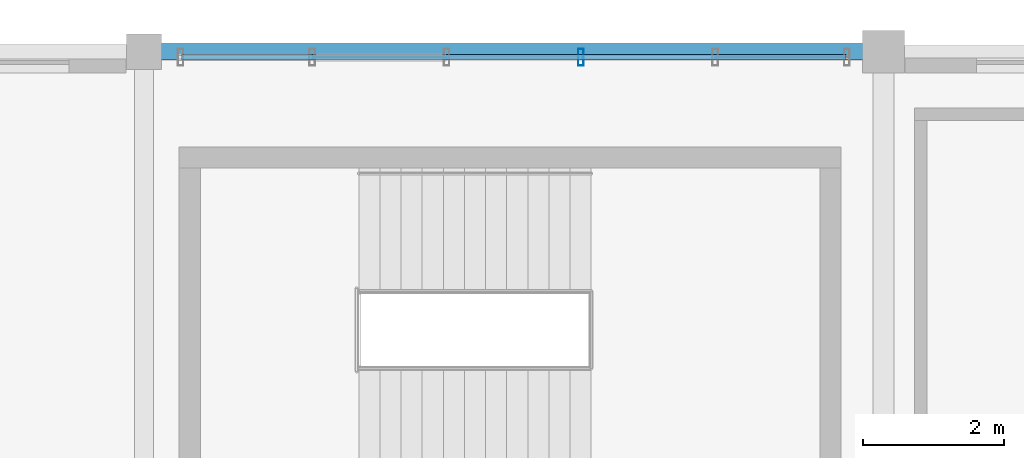
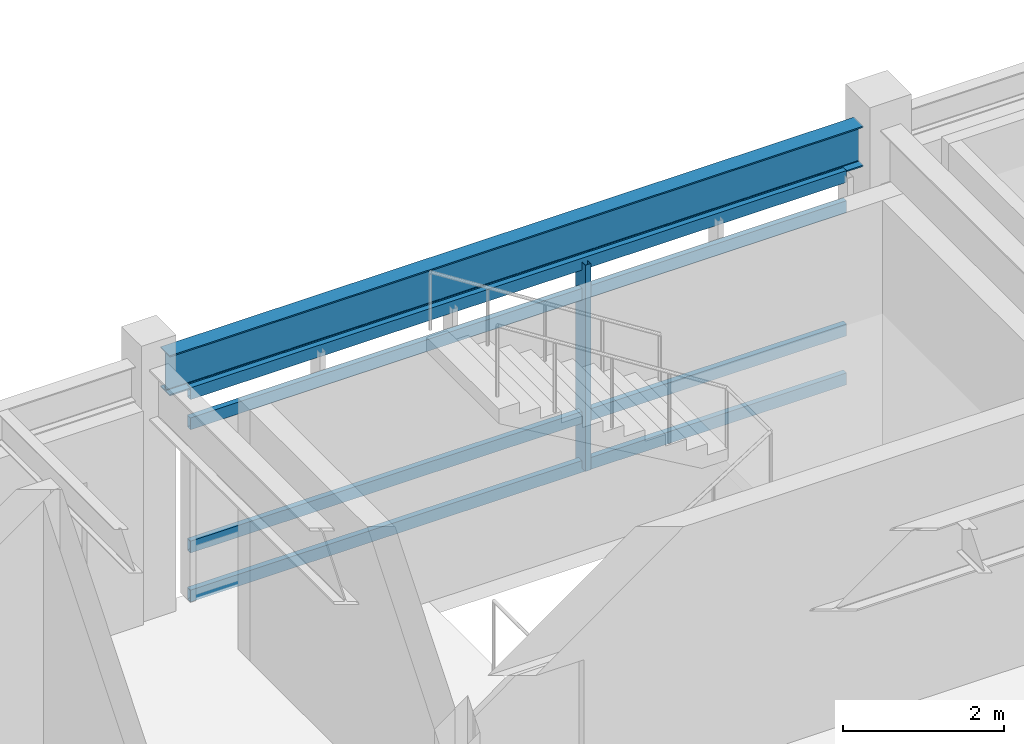
# One storey, part 15 of 56: 5 members, 1 beam, 1 element without a shape of its own.
"""IFC4 building model written with IfcOpenShell, lengths in metres."""

import ifcopenshell
import ifcopenshell.guid

model = None  # the IFC model being written
_history = None  # IfcOwnerHistory: only IFC2X3 demands one
_inside = {}  # id of a spatial element -> (the spatial element, [elements in it])
_under = {}  # id of a project, library or spatial element -> (it, [spatial elements below it])
_declared = {}  # id of a project -> (the project, [libraries it declares])
_typed = {}  # id of a type object -> (the type object, [elements of that type])
_made_of = {}  # id of a material, layer set ... -> (it, [elements and type objects made of it])


def new_model(schema):
    """Start an empty IFC model of exactly this schema.

    Asked for "IFC4X3", IfcOpenShell would pick the latest addendum, in which some entities
    have other attributes; the version numbers below select the first issue.
    IFC2X3 requires an IfcOwnerHistory on every rooted entity: one is made here for all.
    """
    global model, _history
    if schema == "IFC4X3":
        model = ifcopenshell.file(schema_version=(4, 3, 0, 0))
    else:
        model = ifcopenshell.file(schema=schema)
    _inside.clear()
    _under.clear()
    _declared.clear()
    _typed.clear()
    _made_of.clear()
    _history = None
    if model.schema == "IFC2X3":
        org = make("IfcOrganization", Name="unknown")
        user = make(
            "IfcPersonAndOrganization",
            ThePerson=make("IfcPerson", FamilyName="unknown"),
            TheOrganization=org,
        )
        app = make(
            "IfcApplication",
            ApplicationDeveloper=org,
            Version="unknown",
            ApplicationFullName="unknown",
            ApplicationIdentifier="unknown",
        )
        _history = make(
            "IfcOwnerHistory",
            OwningUser=user,
            OwningApplication=app,
            ChangeAction="ADDED",
            CreationDate=0,
        )
    return model


def make(cls, **values):
    """One entity of the class cls with the attributes given. An attribute that is None is left unset."""
    return model.create_entity(
        cls, **{name: value for name, value in values.items() if value is not None}
    )


def rooted(cls, **values):
    """An entity with a GlobalId (a new one), such as an element, a storey or a relation."""
    return make(cls, GlobalId=ifcopenshell.guid.new(), OwnerHistory=_history, **values)


def si_unit(unit_type, name, prefix=None):
    """IfcSIUnit, for example si_unit("LENGTHUNIT", "METRE", prefix="MILLI")."""
    return make("IfcSIUnit", UnitType=unit_type, Prefix=prefix, Name=name)


def assignment(units):
    """IfcUnitAssignment: the units of a project."""
    return None if units is None else make("IfcUnitAssignment", Units=units)


def point(xyz):
    """IfcCartesianPoint."""
    return None if xyz is None else make("IfcCartesianPoint", Coordinates=xyz)


def direction(xyz):
    """IfcDirection."""
    return None if xyz is None else make("IfcDirection", DirectionRatios=xyz)


def frame(location, z_axis=None, x_axis=None):
    """IfcAxis2Placement3D, a coordinate frame: its origin and axes. An axis left out is left unset."""
    return make(
        "IfcAxis2Placement3D",
        Location=point(location),
        Axis=direction(z_axis),
        RefDirection=direction(x_axis),
    )


def frame_2d(location, x_axis=None):
    """IfcAxis2Placement2D, a coordinate frame in the plane: its origin and x axis."""
    return make(
        "IfcAxis2Placement2D", Location=point(location), RefDirection=direction(x_axis)
    )


def origin():
    """The frame at (0, 0, 0) with its axes left unset."""
    return frame((0.0, 0.0, 0.0))


def origin_2d():
    """The frame at (0, 0) in the plane with its x axis left unset."""
    return frame_2d((0.0, 0.0))


def place(relative_to, where):
    """IfcLocalPlacement: puts the frame where relative to a parent placement (None: the world)."""
    return make(
        "IfcLocalPlacement", PlacementRelTo=relative_to, RelativePlacement=where
    )


def context(
    kind, dimensions, precision=None, world=None, true_north=None, identifier=None
):
    """IfcGeometricRepresentationContext, for example the 3D "Model" context."""
    return make(
        "IfcGeometricRepresentationContext",
        ContextIdentifier=identifier,
        ContextType=kind,
        CoordinateSpaceDimension=dimensions,
        Precision=precision,
        WorldCoordinateSystem=world,
        TrueNorth=true_north,
    )


def subcontext(parent, identifier, kind, view, scale=None):
    """IfcGeometricRepresentationSubContext, for example "Body" below "Model"."""
    return make(
        "IfcGeometricRepresentationSubContext",
        ContextIdentifier=identifier,
        ContextType=kind,
        ParentContext=parent,
        TargetScale=scale,
        TargetView=view,
    )


def project(units=None, contexts=None):
    """IfcProject with its units and contexts."""
    return rooted(
        "IfcProject",
        Name="project",
        RepresentationContexts=contexts,
        UnitsInContext=assignment(units),
    )


def spatial(cls, under=None, at=None, **own):
    """A site, building, storey or space (cls), placed at a placement, below another one or the project."""
    s = rooted(cls, ObjectPlacement=at, **own)
    if under is not None:
        _under.setdefault(under.id(), (under, []))[1].append(s)
    return s


def profile(cls, at=None, kind="AREA", **sizes):
    """A parametric profile (cls). Its sizes go by their IFC names, for example OverallWidth=200.0."""
    return make(cls, ProfileType=kind, Position=at, **sizes)


def hollow_rectangle(**sizes):
    """IfcRectangleHollowProfileDef."""
    return profile("IfcRectangleHollowProfileDef", **sizes)


def i_section(**sizes):
    """IfcIShapeProfileDef."""
    return profile("IfcIShapeProfileDef", **sizes)


def extrude(swept, where, along, depth):
    """IfcExtrudedAreaSolid: the profile swept, set in the frame where, extruded along a direction by depth."""
    return make(
        "IfcExtrudedAreaSolid",
        SweptArea=swept,
        Position=where,
        ExtrudedDirection=direction(along),
        Depth=depth,
    )


def shape(context_of_items, identifier, shape_type, items):
    """IfcShapeRepresentation: the items that make up one representation, for example the "Body"."""
    return make(
        "IfcShapeRepresentation",
        ContextOfItems=context_of_items,
        RepresentationIdentifier=identifier,
        RepresentationType=shape_type,
        Items=items,
    )


def material(Name=None, Category=None):
    """IfcMaterial."""
    return make("IfcMaterial", Name=Name, Category=Category)


def material_profile(
    of_material, cross_section, Name=None, Category=None, Priority=None
):
    """IfcMaterialProfile: a cross section and its material."""
    return make(
        "IfcMaterialProfile",
        Name=Name,
        Material=of_material,
        Profile=cross_section,
        Priority=Priority,
        Category=Category,
    )


def profile_set(profiles, Name=None, composite=None):
    """IfcMaterialProfileSet."""
    return make(
        "IfcMaterialProfileSet",
        Name=Name,
        MaterialProfiles=profiles,
        CompositeProfile=composite,
    )


def made_of(thing, what):
    """Note that an element or type object is made of a material, layer set ...; save() writes the relation."""
    if what is not None:
        _made_of.setdefault(what.id(), (what, []))[1].append(thing)
    return thing


def type_object(cls, material=None, **own):
    """A type object (cls), such as IfcWallType, which elements share."""
    return made_of(rooted(cls, **own), material)


def element(
    cls,
    number,
    at=None,
    inside=None,
    cuts=None,
    type_object=None,
    material=None,
    context=None,
    identifier="Body",
    shape_type=None,
    held_by="IfcProductDefinitionShape",
    body=None,
    shapes=None,
    **own,
):
    """One element of the class cls, such as IfcWall. Its Tag is "e" and its number.

    at: its placement. inside: the storey or other place that contains it. cuts: it is an
    opening in that element (IfcRelVoidsElement). A single representation is given by context,
    identifier, shape_type and body (its items); several are given by shapes. held_by: the class
    of the entity that holds the representations. save() writes the other relations.
    """
    e = rooted(cls, Tag="e%d" % number, ObjectPlacement=at, **own)
    if body is not None:
        shapes = [shape(context, identifier, shape_type, body)]
    if shapes is not None:
        e.Representation = make(held_by, Representations=shapes)
    if inside is not None:
        _inside.setdefault(inside.id(), (inside, []))[1].append(e)
    if cuts is not None:
        rooted(
            "IfcRelVoidsElement", RelatingBuildingElement=cuts, RelatedOpeningElement=e
        )
    if type_object is not None:
        _typed.setdefault(type_object.id(), (type_object, []))[1].append(e)
    return made_of(e, material)


def aggregate(whole, parts):
    """IfcRelAggregates: a whole, such as a stair, and the parts it consists of."""
    return rooted("IfcRelAggregates", RelatingObject=whole, RelatedObjects=parts)


def save(model, path):
    """Write the relations noted so far, then the file.

    IfcRelAggregates (storeys below a building ...), IfcRelContainedInSpatialStructure (elements
    in a storey), IfcRelDefinesByType, IfcRelAssociatesMaterial and IfcRelDeclares: one each for
    every whole, place, type object, material and project.
    """
    for whole, parts in _under.values():
        aggregate(whole, parts)
    for where, things in _inside.values():
        rooted(
            "IfcRelContainedInSpatialStructure",
            RelatedElements=things,
            RelatingStructure=where,
        )
    for kind, things in _typed.values():
        rooted("IfcRelDefinesByType", RelatedObjects=things, RelatingType=kind)
    for what, things in _made_of.values():
        rooted("IfcRelAssociatesMaterial", RelatedObjects=things, RelatingMaterial=what)
    for by, libraries in _declared.values():
        rooted("IfcRelDeclares", RelatingContext=by, RelatedDefinitions=libraries)
    model.write(path)


model = new_model("IFC4")

# Units and contexts
model_context = context("Model", 3, precision=1e-05, world=origin(), true_north=direction((0.0, 1.0)))
body_context = subcontext(model_context, "Body", "Model", "MODEL_VIEW")
ifc_project = project(units=[si_unit("LENGTHUNIT", "METRE"), si_unit("AREAUNIT", "SQUARE_METRE"), si_unit("VOLUMEUNIT", "CUBIC_METRE"), si_unit("PLANEANGLEUNIT", "RADIAN"), si_unit("MASSUNIT", "GRAM", prefix="KILO"), si_unit("THERMODYNAMICTEMPERATUREUNIT", "KELVIN"), si_unit("POWERUNIT", "WATT")], contexts=[model_context])

# Site, building, storey
site_placement = place(None, origin())
site = spatial("IfcSite", under=ifc_project, at=site_placement, CompositionType="ELEMENT")
building_placement = place(site_placement, origin())
building = spatial("IfcBuilding", under=site, at=building_placement, Name="Tepalcoro Natatorium and Aquatics Centre", CompositionType="ELEMENT")
storey_placement = place(building_placement, frame((0.0, 0.0, 14.800048828125)))
storey = spatial("IfcBuildingStorey", under=building, at=storey_placement, Name="L03", CompositionType="ELEMENT", Elevation=14.800048828125)

# Curtain wall, members
ifc_material_1 = material(Name="Bronze-Anodised Extruded Aluminium Alloy EN AW-6063 T6", Category="aluminium")
curtain_wall_type = type_object("IfcCurtainWallType", Name="CW_LEAN_T2_EW", PredefinedType="USERDEFINED", material=ifc_material_1)
curtain_wall_placement = place(storey_placement, origin())
curtain_wall = element("IfcCurtainWall", 1, at=curtain_wall_placement, inside=storey, type_object=curtain_wall_type, Name="V5 L03 N Unitised Curtain Wall Bay 4", ObjectType="FACETED SOLAR GLAZING", PredefinedType="USERDEFINED")
ifc_material_profile_1 = material_profile(ifc_material_1, hollow_rectangle(XDim=0.080078125, YDim=0.239990234375, WallThickness=0.0048828125, at=origin_2d()), Name="AL80X240X5")
ifc_profile_set_1 = profile_set([ifc_material_profile_1], Name="Bronze-Anodised Extruded Aluminium Alloy EN AW-6063 T6")
member_type_1 = type_object("IfcMemberType", Name="CW_MUL_80x240", PredefinedType="MULLION", material=ifc_profile_set_1)
member_1_placement = place(storey_placement, frame((137.7041015625, 117.919921875, 0.02001953125), z_axis=(0.0, 0.0, 1.0), x_axis=(1.0, 0.0, 0.0)))
member_1 = element("IfcMember", 2, at=member_1_placement, type_object=member_type_1, Name="CW_LEAN_T2_EW Curtain Wall Mullion", PredefinedType="MULLION", context=body_context, shape_type="SweptSolid", body=[
    extrude(hollow_rectangle(XDim=0.080078125, YDim=0.239990234375, WallThickness=0.0048828125, at=origin_2d()), origin(), (0.0, 0.0, 1.0), 3.137939453125),
])
ifc_material_profile_2 = material_profile(ifc_material_1, hollow_rectangle(XDim=0.080078125, YDim=0.179931640625, WallThickness=0.0048828125, at=origin_2d()), Name="AL80X180X5")
ifc_profile_set_2 = profile_set([ifc_material_profile_2], Name="Bronze-Anodised Extruded Aluminium Alloy EN AW-6063 T6")
member_type_2 = type_object("IfcMemberType", Name="CW_TRN_80x180", PredefinedType="USERDEFINED", material=ifc_profile_set_2)
member_2_placement = place(storey_placement, frame((132.030029296875, 117.919921875, 0.050048828125), z_axis=(1.0, 0.0, 0.0), x_axis=(0.0, 1.0, 0.0)))
member_2 = element("IfcMember", 3, at=member_2_placement, type_object=member_type_2, Name="CW_LEAN_T2_EW Curtain Wall Transom", ObjectType="TRANSOM", PredefinedType="USERDEFINED", context=body_context, shape_type="SweptSolid", body=[
    extrude(hollow_rectangle(XDim=0.080078125, YDim=0.179931640625, WallThickness=0.0048828125, at=origin_2d()), origin(), (0.0, 0.0, 1.0), 9.43994140625),
])
member_3_placement = place(storey_placement, frame((132.030029296875, 117.919921875, 0.79443359375), z_axis=(1.0, 0.0, 0.0), x_axis=(0.0, 1.0, 0.0)))
member_3 = element("IfcMember", 4, at=member_3_placement, type_object=member_type_2, Name="CW_LEAN_T2_EW Curtain Wall Transom", ObjectType="TRANSOM", PredefinedType="USERDEFINED", context=body_context, shape_type="SweptSolid", body=[
    extrude(hollow_rectangle(XDim=0.080078125, YDim=0.179931640625, WallThickness=0.0048828125, at=origin_2d()), origin(), (0.0, 0.0, 1.0), 9.43994140625),
])
member_4_placement = place(storey_placement, frame((132.030029296875, 117.919921875, 2.66943359375), z_axis=(1.0, 0.0, 0.0), x_axis=(0.0, 1.0, 0.0)))
member_4 = element("IfcMember", 5, at=member_4_placement, type_object=member_type_2, Name="CW_LEAN_T2_EW Curtain Wall Transom", ObjectType="TRANSOM", PredefinedType="USERDEFINED", context=body_context, shape_type="SweptSolid", body=[
    extrude(hollow_rectangle(XDim=0.080078125, YDim=0.179931640625, WallThickness=0.0048828125, at=origin_2d()), origin(), (0.0, 0.0, 1.0), 9.43994140625),
])
member_5_placement = place(storey_placement, frame((132.030029296875, 117.919921875, 3.1279296875), z_axis=(1.0, 0.0, 0.0), x_axis=(0.0, 1.0, 0.0)))
member_5 = element("IfcMember", 6, at=member_5_placement, type_object=member_type_2, Name="CW_LEAN_T2_EW Curtain Wall Transom", ObjectType="TRANSOM", PredefinedType="USERDEFINED", context=body_context, shape_type="SweptSolid", body=[
    extrude(hollow_rectangle(XDim=0.080078125, YDim=0.179931640625, WallThickness=0.0048828125, at=origin_2d()), origin(), (0.0, 0.0, 1.0), 9.43994140625),
])
aggregate(curtain_wall, [member_1, member_2, member_3, member_4, member_5])

# Beam
ifc_material_2 = material(Name="Steel ASTM A992 Grade 50 (Fy 345 MPa)", Category="steel")
ifc_material_profile_3 = material_profile(ifc_material_2, i_section(OverallWidth=0.22900390625, OverallDepth=0.612060546875, WebThickness=0.011962890625, FlangeThickness=0.02001953125, FilletRadius=0.013916015625, at=origin_2d()), Name="W24X84")
ifc_profile_set_3 = profile_set([ifc_material_profile_3], Name="Steel ASTM A992 Grade 50 (Fy 345 MPa)")
beam_type = type_object("IfcBeamType", Name="SP_W24x84", PredefinedType="SPANDREL", material=ifc_profile_set_3)
beam_placement = place(storey_placement, frame((131.735107421875, 118.0, 3.4990234375), z_axis=(1.0, 0.0, 0.0), x_axis=(0.0, 1.0, 0.0)))
element("IfcBeam", 7, at=beam_placement, inside=storey, type_object=beam_type, Name="V5 L03 Grid Girder X", PredefinedType="SPANDREL", context=body_context, shape_type="SweptSolid", body=[
    extrude(i_section(OverallWidth=0.22900390625, OverallDepth=0.612060546875, WebThickness=0.011962890625, FlangeThickness=0.02001953125, FilletRadius=0.013916015625, at=origin_2d()), origin(), (0.0, 0.0, 1.0), 9.97998046875),
])

save(model, "model.ifc")
